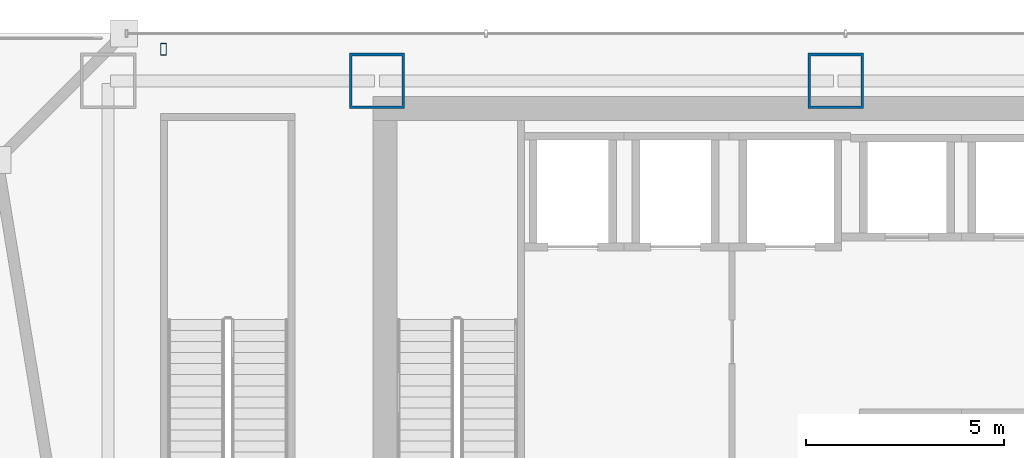
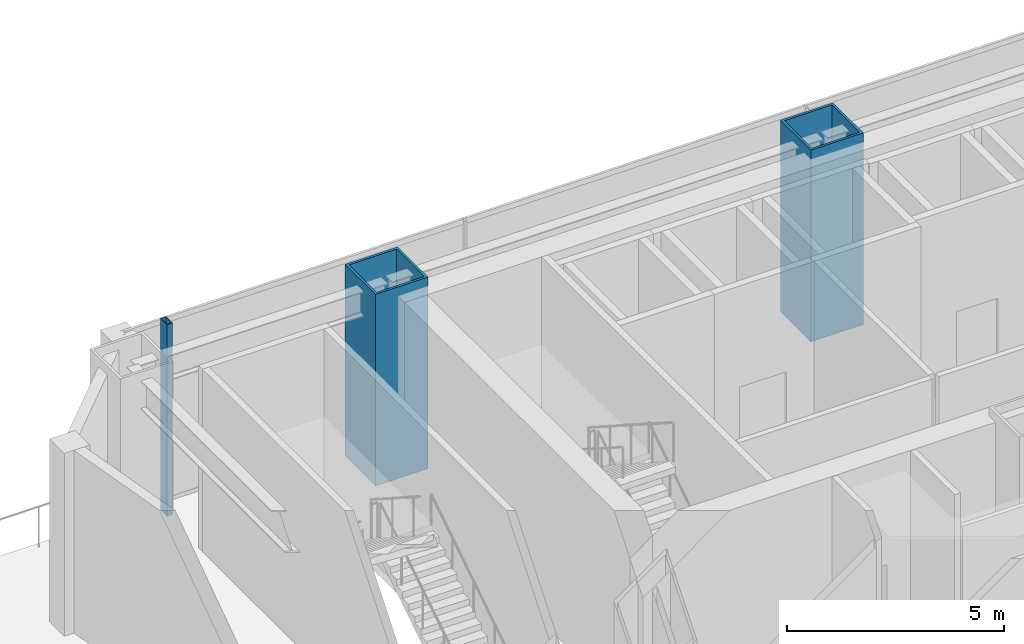
# One storey, part 2 of 29: 3 columns.
"""IFC4 building model written with IfcOpenShell, lengths in metres."""

from ifc_helpers import new_model, si_unit, direction, frame, origin, origin_2d, place, context, subcontext, project, spatial, hollow_rectangle, extrude, material, material_profile, profile_set, type_object, element, save


model = new_model("IFC4")

# Units and contexts
model_context = context("Model", 3, precision=1e-05, world=origin(), true_north=direction((0.0, 1.0)))
body_context = subcontext(model_context, "Body", "Model", "MODEL_VIEW")
ifc_project = project(units=[si_unit("LENGTHUNIT", "METRE"), si_unit("AREAUNIT", "SQUARE_METRE"), si_unit("VOLUMEUNIT", "CUBIC_METRE"), si_unit("PLANEANGLEUNIT", "RADIAN"), si_unit("MASSUNIT", "GRAM", prefix="KILO")], contexts=[model_context])

# Site, building, storey
site_placement = place(None, origin())
site = spatial("IfcSite", under=ifc_project, at=site_placement, CompositionType="ELEMENT")
building_placement = place(site_placement, origin())
building = spatial("IfcBuilding", under=site, at=building_placement, Name="Saevonmaru Cultural Tower", CompositionType="ELEMENT")
storey_placement = place(building_placement, frame((0.0, 0.0, 27.60009765625)))
storey = spatial("IfcBuildingStorey", under=building, at=storey_placement, Name="L05", CompositionType="ELEMENT", Elevation=27.60009765625)

# Columns
ifc_material_1 = material(Name="Steel HSA600 (600 MPa)", Category="steel")
ifc_material_profile_1 = material_profile(ifc_material_1, hollow_rectangle(XDim=1.39990234375, YDim=1.39990234375, WallThickness=0.06494140625, at=origin_2d()), Name="BOX-1400x1400x65")
ifc_profile_set_1 = profile_set([ifc_material_profile_1], Name="Steel HSA600 (600 MPa)")
column_type_1 = type_object("IfcColumnType", Name="COL-BOX-1400", PredefinedType="COLUMN", material=ifc_profile_set_1)
for number, where, z_axis, x_axis, name in (
    (1, (13.60009765625, 54.800048828125, 0.0), (0.0, 0.0, 1.0), (1.0, 0.0, 0.0), "L05 Column TC-N2N"),
    (2, (25.199951171875, 54.800048828125, 0.0), (0.0, 0.0, 1.0), (1.0, 0.0, 0.0), "L05 Column TC-N3N"),
):
    element("IfcColumn", number, at=place(storey_placement, frame(where, z_axis=z_axis, x_axis=x_axis)), inside=storey, type_object=column_type_1, Name=name, PredefinedType="COLUMN", context=body_context, shape_type="SweptSolid", body=[
        extrude(hollow_rectangle(XDim=1.39990234375, YDim=1.39990234375, WallThickness=0.06494140625, at=origin_2d()), origin(), (0.0, 0.0, 1.0), 5.39990234375),
    ])
ifc_material_2 = material(Name="Steel SM355", Category="steel")
ifc_material_profile_2 = material_profile(ifc_material_2, hollow_rectangle(XDim=0.14990234375, YDim=0.300048828125, WallThickness=0.010009765625, at=origin_2d()), Name="RHS-300x150x10")
ifc_profile_set_2 = profile_set([ifc_material_profile_2], Name="Steel SM355")
column_type_2 = type_object("IfcColumnType", Name="PIL-RHS-300", PredefinedType="PILASTER", material=ifc_profile_set_2)
column_placement = place(storey_placement, frame((8.199951171875, 55.60009765625, 0.0), z_axis=(0.0, 0.0, 1.0), x_axis=(1.0, 0.0, 0.0)))
element("IfcColumn", 3, at=column_placement, inside=storey, type_object=column_type_2, Name="L05 Art Deco Bronze-Clad Pilaster PIL-NW", PredefinedType="PILASTER", context=body_context, shape_type="SweptSolid", body=[
    extrude(hollow_rectangle(XDim=0.14990234375, YDim=0.300048828125, WallThickness=0.010009765625, at=origin_2d()), origin(), (0.0, 0.0, 1.0), 5.39990234375),
])

save(model, "model.ifc")
